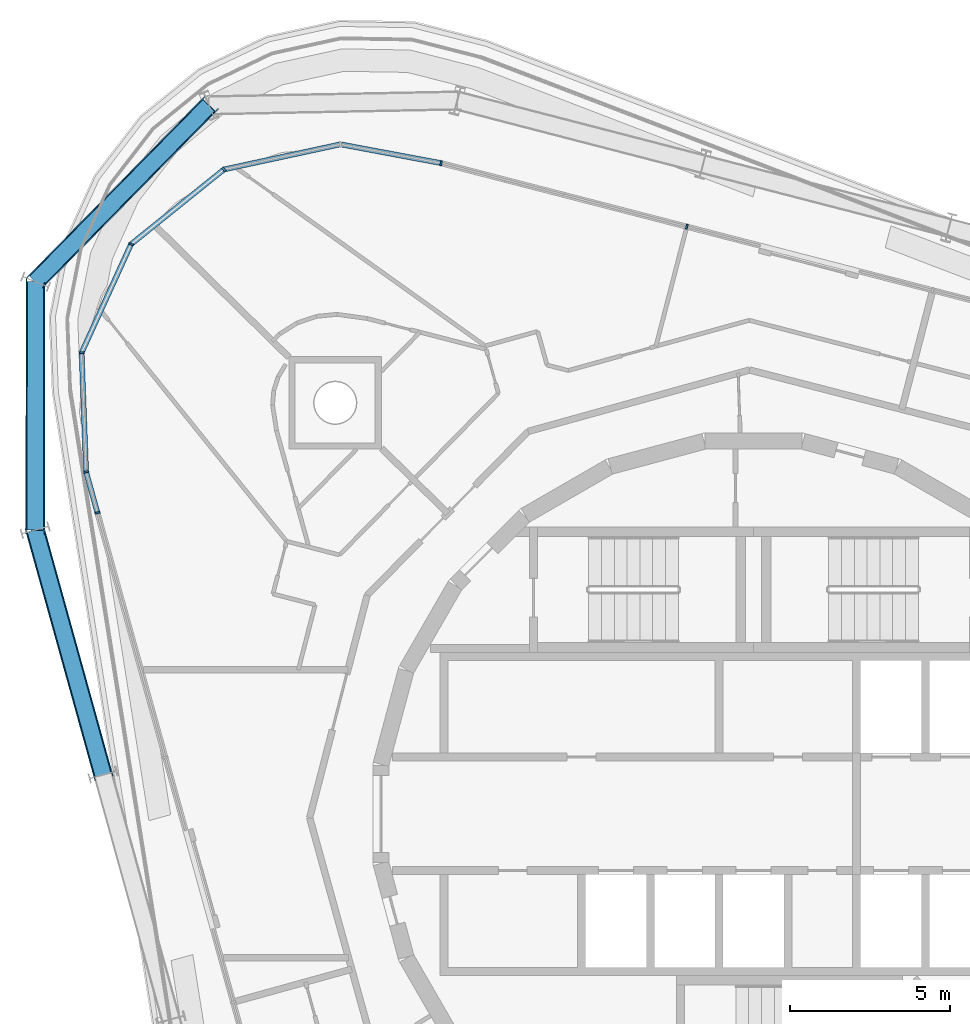
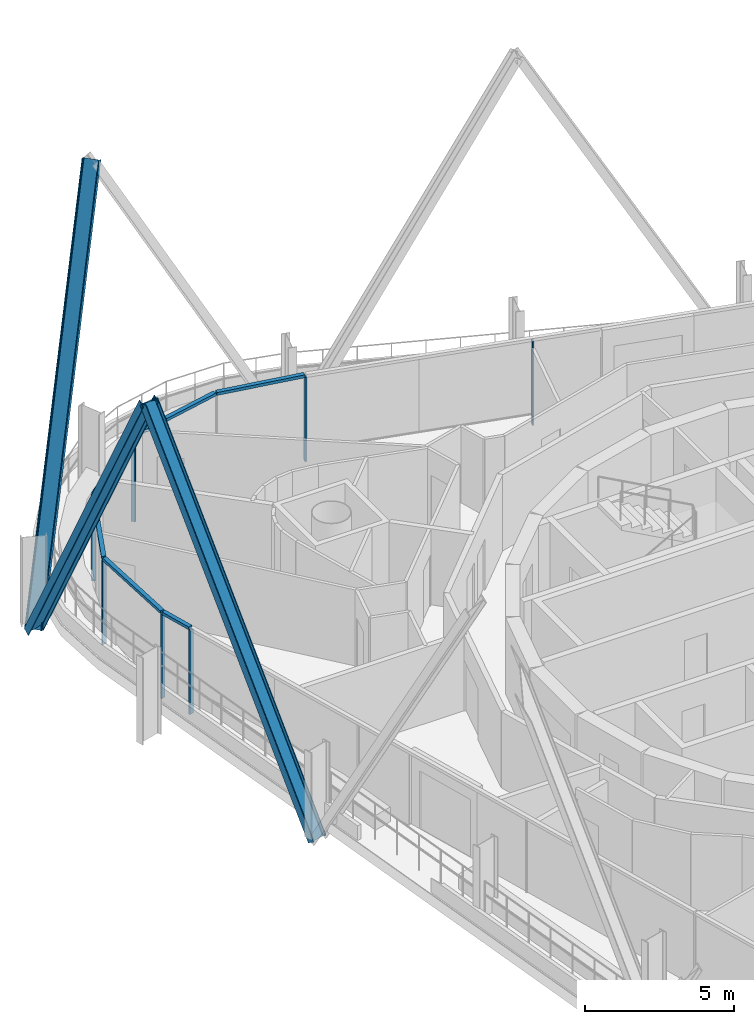
# One storey, part 5 of 18: 16 members, 3 elements without a shape of their own.
"""IFC4 building model written with IfcOpenShell, lengths in metres."""

from ifc_helpers import new_model, si_unit, direction, frame, origin, origin_2d, place, context, subcontext, project, spatial, rectangle, i_section, extrude, material, layer, layer_set, material_profile, profile_set, type_object, element, aggregate, save


model = new_model("IFC4")

# Units and contexts
model_context = context("Model", 3, precision=1e-05, world=origin(), true_north=direction((0.0, 1.0)))
body_context = subcontext(model_context, "Body", "Model", "MODEL_VIEW")
ifc_project = project(units=[si_unit("LENGTHUNIT", "METRE"), si_unit("AREAUNIT", "SQUARE_METRE"), si_unit("VOLUMEUNIT", "CUBIC_METRE"), si_unit("PLANEANGLEUNIT", "RADIAN"), si_unit("MASSUNIT", "GRAM", prefix="KILO")], contexts=[model_context])

# Site, building, storey
site_placement = place(None, origin())
site = spatial("IfcSite", under=ifc_project, at=site_placement, CompositionType="ELEMENT")
building_placement = place(site_placement, origin())
building = spatial("IfcBuilding", under=site, at=building_placement, Name="Spindle Arch Residences", CompositionType="ELEMENT")
storey_placement = place(building_placement, frame((0.0, 0.0, 298.199951171875)))
storey = spatial("IfcBuildingStorey", under=building, at=storey_placement, Name="L76", CompositionType="ELEMENT", Elevation=298.199951171875)

# Curtain wall, member
ifc_material_1 = material(Name="Aluminium bronze unitised frame with tinted glass", Category="aluminium")
ifc_layer_1 = layer(ifc_material_1, 0.159912109375)
ifc_layer_set_1 = layer_set([ifc_layer_1], Name="CW-C typical residential unitised wall")
curtain_wall_type_1 = type_object("IfcCurtainWallType", Name="CW-C typical residential unitised wall", PredefinedType="NOTDEFINED", material=ifc_layer_set_1)
curtain_wall_1_placement = place(storey_placement, origin())
curtain_wall_1 = element("IfcCurtainWall", 1, at=curtain_wall_1_placement, inside=storey, type_object=curtain_wall_type_1, Name="CW-C L76 run 2", PredefinedType="NOTDEFINED")
ifc_material_2 = material(Name="Aluminium bronze anodised mullion", Category="aluminium")
ifc_material_profile_1 = material_profile(ifc_material_2, rectangle(XDim=0.159912109375, YDim=0.06005859375, at=origin_2d()), Name="MU 60x160")
ifc_profile_set_1 = profile_set([ifc_material_profile_1], Name="Aluminium bronze anodised mullion")
member_type_1 = type_object("IfcMemberType", Name="Bronze mullion 60x160", PredefinedType="MULLION", material=ifc_profile_set_1)
member_1_placement = place(storey_placement, frame((-2.084228515625, 18.35107421875, -0.449951171875), z_axis=(0.0, 0.0, 1.0), x_axis=(-0.250380004054, -0.968147640378, 0.0)))
member_1 = element("IfcMember", 2, at=member_1_placement, type_object=member_type_1, Name="CW-C mullion 07", PredefinedType="MULLION", context=body_context, shape_type="SweptSolid", body=[
    extrude(rectangle(XDim=0.159912109375, YDim=0.06005859375, at=origin_2d()), origin(), (0.0, 0.0, 1.0), 3.449951171875),
])
aggregate(curtain_wall_1, [member_1])

# Curtain wall, members
ifc_material_3 = material(Name="Aluminium bronze unitised frame with tinted glass", Category="aluminium")
ifc_layer_2 = layer(ifc_material_3, 0.159912109375)
ifc_layer_set_2 = layer_set([ifc_layer_2], Name="CW-D corner wall on the fillet arcs")
curtain_wall_type_2 = type_object("IfcCurtainWallType", Name="CW-D corner wall on the fillet arcs", PredefinedType="NOTDEFINED", material=ifc_layer_set_2)
curtain_wall_2_placement = place(storey_placement, origin())
curtain_wall_2 = element("IfcCurtainWall", 3, at=curtain_wall_2_placement, inside=storey, type_object=curtain_wall_type_2, Name="CW-D L76 run 3", PredefinedType="NOTDEFINED")
member_2_placement = place(storey_placement, frame((-9.7666015625, 20.337890625, -0.449951171875), z_axis=(0.0, 0.0, 1.0), x_axis=(-0.183837217301, -0.98295670176, 0.0)))
member_2 = element("IfcMember", 4, at=member_2_placement, type_object=member_type_1, Name="CW-D mullion 00", PredefinedType="MULLION", context=body_context, shape_type="SweptSolid", body=[
    extrude(rectangle(XDim=0.159912109375, YDim=0.06005859375, at=origin_2d()), origin(), (0.0, 0.0, 1.0), 3.449951171875),
])
member_3_placement = place(storey_placement, frame((-16.5517578125, 20.14013671875, -0.449951171875), z_axis=(0.0, 0.0, 1.0), x_axis=(0.627057107401, -0.778973288411, 0.0)))
member_3 = element("IfcMember", 5, at=member_3_placement, type_object=member_type_1, Name="CW-D mullion 02", PredefinedType="MULLION", context=body_context, shape_type="SweptSolid", body=[
    extrude(rectangle(XDim=0.159912109375, YDim=0.06005859375, at=origin_2d()), origin(), (0.0, 0.0, 1.0), 3.449951171875),
])
member_4_placement = place(storey_placement, frame((-19.454833984375, 17.80322265625, -0.449951171875), z_axis=(0.0, 0.0, 1.0), x_axis=(0.9099612694, -0.414693245896, 0.0)))
member_4 = element("IfcMember", 6, at=member_4_placement, type_object=member_type_1, Name="CW-D mullion 03", PredefinedType="MULLION", context=body_context, shape_type="SweptSolid", body=[
    extrude(rectangle(XDim=0.159912109375, YDim=0.06005859375, at=origin_2d()), origin(), (0.0, 0.0, 1.0), 3.449951171875),
])
member_5_placement = place(storey_placement, frame((-21.00048828125, 14.411865234375, -0.449951171875), z_axis=(0.0, 0.0, 1.0), x_axis=(0.999285080405, 0.037806455536, 0.0)))
member_5 = element("IfcMember", 7, at=member_5_placement, type_object=member_type_1, Name="CW-D mullion 04", PredefinedType="MULLION", context=body_context, shape_type="SweptSolid", body=[
    extrude(rectangle(XDim=0.159912109375, YDim=0.06005859375, at=origin_2d()), origin(), (0.0, 0.0, 1.0), 3.449951171875),
])
member_6_placement = place(storey_placement, frame((-20.859375, 10.687744140625, -0.449951171875), z_axis=(0.0, 0.0, 1.0), x_axis=(0.963630453209, 0.267238376078, 0.0)))
member_6 = element("IfcMember", 8, at=member_6_placement, type_object=member_type_1, Name="CW-D mullion 05", PredefinedType="MULLION", context=body_context, shape_type="SweptSolid", body=[
    extrude(rectangle(XDim=0.159912109375, YDim=0.06005859375, at=origin_2d()), origin(), (0.0, 0.0, 1.0), 3.449951171875),
])

# Curtain wall, member
curtain_wall_3_placement = place(storey_placement, origin())
curtain_wall_3 = element("IfcCurtainWall", 9, at=curtain_wall_3_placement, inside=storey, type_object=curtain_wall_type_1, Name="CW-C L76 run 4", PredefinedType="NOTDEFINED")
member_7_placement = place(storey_placement, frame((-20.505126953125, 9.41015625, -0.449951171875), z_axis=(0.0, 0.0, 1.0), x_axis=(0.963630453209, 0.267238376078, 0.0)))
member_7 = element("IfcMember", 10, at=member_7_placement, type_object=member_type_1, Name="CW-C mullion 11", PredefinedType="MULLION", context=body_context, shape_type="SweptSolid", body=[
    extrude(rectangle(XDim=0.159912109375, YDim=0.06005859375, at=origin_2d()), origin(), (0.0, 0.0, 1.0), 3.449951171875),
])
aggregate(curtain_wall_3, [member_7])

# Member
ifc_material_4 = material(Name="Aluminium bronze anodised transom", Category="aluminium")
ifc_material_profile_2 = material_profile(ifc_material_4, rectangle(XDim=0.159912109375, YDim=0.1201171875, at=origin_2d()), Name="TR 120x160")
ifc_profile_set_2 = profile_set([ifc_material_profile_2], Name="Aluminium bronze anodised transom")
member_type_2 = type_object("IfcMemberType", Name="Bronze transom 120x160", PredefinedType="USERDEFINED", material=ifc_profile_set_2)
member_8_placement = place(storey_placement, frame((-9.796142578125, 20.34326171875, 3.06005859375), z_axis=(-0.982955792974, 0.183842076412, 0.0), x_axis=(-0.183842076412, -0.982955792974, 0.0)))
member_8 = element("IfcMember", 11, at=member_8_placement, type_object=member_type_2, Name="CW-D transom 00", ObjectType="TRANSOM", PredefinedType="USERDEFINED", context=body_context, shape_type="SweptSolid", body=[
    extrude(rectangle(XDim=0.159912109375, YDim=0.1201171875, at=origin_2d()), origin(), (0.0, 0.0, 1.0), 3.13671875),
])

member_9_placement = place(storey_placement, frame((-12.938232421875, 20.919189453125, 3.06005859375), z_axis=(-0.977527770532, -0.210806683571, 0.0), x_axis=(0.210806683571, -0.977527770532, 0.0)))
member_9 = element("IfcMember", 12, at=member_9_placement, type_object=member_type_2, Name="CW-D transom 01", ObjectType="TRANSOM", PredefinedType="USERDEFINED", context=body_context, shape_type="SweptSolid", body=[
    extrude(rectangle(XDim=0.159912109375, YDim=0.1201171875, at=origin_2d()), origin(), (0.0, 0.0, 1.0), 3.66650390625),
])

member_10_placement = place(storey_placement, frame((-16.5751953125, 20.121337890625, 3.06005859375), z_axis=(-0.778981543265, -0.627046852518, 0.0), x_axis=(0.627046852518, -0.778981543265, 0.0)))
member_10 = element("IfcMember", 13, at=member_10_placement, type_object=member_type_2, Name="CW-D transom 02", ObjectType="TRANSOM", PredefinedType="USERDEFINED", context=body_context, shape_type="SweptSolid", body=[
    extrude(rectangle(XDim=0.159912109375, YDim=0.1201171875, at=origin_2d()), origin(), (0.0, 0.0, 1.0), 3.6669921875),
])

member_11_placement = place(storey_placement, frame((-19.46728515625, 17.77587890625, 3.06005859375), z_axis=(-0.414725728642, -0.90994646546, 0.0), x_axis=(0.90994646546, -0.414725728642, 0.0)))
member_11 = element("IfcMember", 14, at=member_11_placement, type_object=member_type_2, Name="CW-D transom 03", ObjectType="TRANSOM", PredefinedType="USERDEFINED", context=body_context, shape_type="SweptSolid", body=[
    extrude(rectangle(XDim=0.159912109375, YDim=0.1201171875, at=origin_2d()), origin(), (0.0, 0.0, 1.0), 3.6669921875),
])

member_12_placement = place(storey_placement, frame((-20.999267578125, 14.382080078125, 3.06005859375), z_axis=(0.03781688996, -0.99928468558, 0.0), x_axis=(0.99928468558, 0.03781688996, 0.0)))
member_12 = element("IfcMember", 15, at=member_12_placement, type_object=member_type_2, Name="CW-D transom 04", ObjectType="TRANSOM", PredefinedType="USERDEFINED", context=body_context, shape_type="SweptSolid", body=[
    extrude(rectangle(XDim=0.159912109375, YDim=0.1201171875, at=origin_2d()), origin(), (0.0, 0.0, 1.0), 3.6669921875),
])

member_13_placement = place(storey_placement, frame((-20.8515625, 10.658935546875, 3.06005859375), z_axis=(0.267275846412, -0.963620060981, 0.0), x_axis=(0.963620060981, 0.267275846412, 0.0)))
member_13 = element("IfcMember", 16, at=member_13_placement, type_object=member_type_2, Name="CW-D transom 05", ObjectType="TRANSOM", PredefinedType="USERDEFINED", context=body_context, shape_type="SweptSolid", body=[
    extrude(rectangle(XDim=0.159912109375, YDim=0.1201171875, at=origin_2d()), origin(), (0.0, 0.0, 1.0), 1.26611328125),
])

aggregate(curtain_wall_2, [member_2, member_8, member_9, member_3, member_10, member_4, member_11, member_5, member_12, member_6, member_13])

# Members
ifc_material_5 = material(Name="Steel S460ML, intumescent coating R 240", Category="steel")
ifc_material_profile_3 = material_profile(ifc_material_5, i_section(OverallWidth=0.300048828125, OverallDepth=0.60009765625, WebThickness=0.015380859375, FlangeThickness=0.030029296875, FilletRadius=0.027099609375, at=origin_2d()), Name="HEB 600")
ifc_profile_set_3 = profile_set([ifc_material_profile_3], Name="Steel S460ML, intumescent coating R 240")
member_type_3 = type_object("IfcMemberType", Name="Diagrid diagonal HEB 600", PredefinedType="BRACE", material=ifc_profile_set_3)
member_14_placement = place(storey_placement, frame((-22.4384765625, 16.62939453125, -0.699951171875), z_axis=(0.337585470232, 0.343531232343, 0.876368839412), x_axis=(-0.614253435639, -0.625072043447, 0.481640589348)))
element("IfcMember", 17, at=member_14_placement, inside=storey, type_object=member_type_3, Name="Diagrid diagonal 8.1.10", PredefinedType="BRACE", context=body_context, shape_type="SweptSolid", body=[
    extrude(i_section(OverallWidth=0.300048828125, OverallDepth=0.60009765625, WebThickness=0.015380859375, FlangeThickness=0.030029296875, FilletRadius=0.027099609375, at=origin_2d()), origin(), (0.0, 0.0, 1.0), 16.054931640625),
])
member_15_placement = place(storey_placement, frame((-22.4384765625, 16.62939453125, -0.699951171875), z_axis=(-0.000820505065, -0.482897619734, 0.87567643318), x_axis=(0.001487884558, 0.875675169127, 0.482898316805)))
element("IfcMember", 18, at=member_15_placement, inside=storey, type_object=member_type_3, Name="Diagrid diagonal 8.1.11", PredefinedType="BRACE", context=body_context, shape_type="SweptSolid", body=[
    extrude(i_section(OverallWidth=0.300048828125, OverallDepth=0.60009765625, WebThickness=0.015380859375, FlangeThickness=0.030029296875, FilletRadius=0.027099609375, at=origin_2d()), origin(), (0.0, 0.0, 1.0), 16.067626953125),
])
member_16_placement = place(storey_placement, frame((-20.3310546875, 1.223876953125, -0.699951171875), z_axis=(-0.131279156426, 0.473366702656, 0.871027983422), x_axis=(0.232776963388, -0.839347742727, 0.491233398799)))
element("IfcMember", 19, at=member_16_placement, inside=storey, type_object=member_type_3, Name="Diagrid diagonal 8.1.12", PredefinedType="BRACE", context=body_context, shape_type="SweptSolid", body=[
    extrude(i_section(OverallWidth=0.300048828125, OverallDepth=0.60009765625, WebThickness=0.015380859375, FlangeThickness=0.030029296875, FilletRadius=0.027099609375, at=origin_2d()), origin(), (0.0, 0.0, 1.0), 16.1533203125),
])

save(model, "model.ifc")
